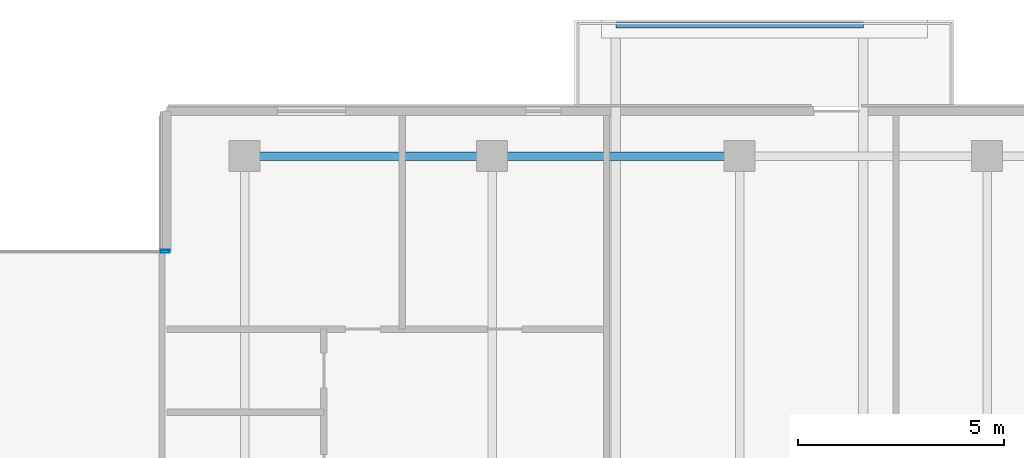
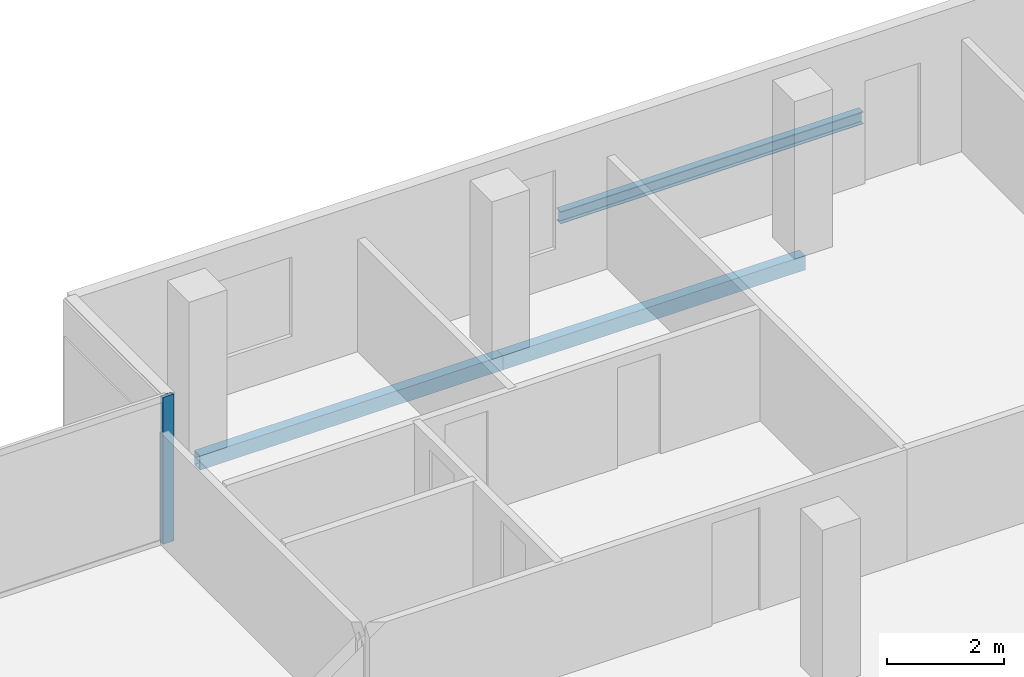
# One storey, part 12 of 28: 3 beams, 1 member, 1 element without a shape of its own.
"""IFC4 building model written with IfcOpenShell, lengths in metres."""

from ifc_helpers import new_model, si_unit, direction, frame, origin, origin_2d, place, context, subcontext, project, spatial, hollow_rectangle, i_section, extrude, material, layer, layer_set, material_profile, profile_set, type_object, element, aggregate, save


model = new_model("IFC4")

# Units and contexts
model_context = context("Model", 3, precision=1e-05, world=origin(), true_north=direction((0.0, 1.0)))
body_context = subcontext(model_context, "Body", "Model", "MODEL_VIEW")
ifc_project = project(units=[si_unit("LENGTHUNIT", "METRE"), si_unit("AREAUNIT", "SQUARE_METRE"), si_unit("VOLUMEUNIT", "CUBIC_METRE"), si_unit("PLANEANGLEUNIT", "RADIAN"), si_unit("MASSUNIT", "GRAM", prefix="KILO")], contexts=[model_context])

# Site, building, storey
site_placement = place(None, origin())
site = spatial("IfcSite", under=ifc_project, at=site_placement, CompositionType="ELEMENT")
building_placement = place(site_placement, origin())
building = spatial("IfcBuilding", under=site, at=building_placement, Name="Tanjung Sevakor Pilgrim Tower", CompositionType="ELEMENT")
storey_placement = place(building_placement, frame((0.0, 0.0, 222.75)))
storey = spatial("IfcBuildingStorey", under=building, at=storey_placement, Name="L62", CompositionType="ELEMENT", Elevation=222.75)

# Beams
ifc_material_1 = material(Name="Steel S355J2", Category="steel")
ifc_material_profile_1 = material_profile(ifc_material_1, i_section(OverallWidth=0.146484375, OverallDepth=0.256103515625, WebThickness=0.00634765625, FlangeThickness=0.010986328125, FilletRadius=0.007568359375, at=origin_2d()))
ifc_profile_set_1 = profile_set([ifc_material_profile_1], Name="Steel S355J2")
beam_type_1 = type_object("IfcBeamType", Name="BM-B-J6-UB_254x146x37", PredefinedType="JOIST", material=ifc_profile_set_1)
beam_placement = place(storey_placement, frame((63.0, 57.1298828125, -0.327880859375), z_axis=(1.0, 0.0, 0.0), x_axis=(0.0, 1.0, 0.0)))
element("IfcBeam", 1, at=beam_placement, inside=storey, type_object=beam_type_1, Name="L62 Balcony Rim Tie MAIN-N2", PredefinedType="JOIST", context=body_context, shape_type="SweptSolid", body=[
    extrude(i_section(OverallWidth=0.146484375, OverallDepth=0.256103515625, WebThickness=0.00634765625, FlangeThickness=0.010986328125, FilletRadius=0.007568359375, at=origin_2d()), origin(), (0.0, 0.0, 1.0), 6.0),
])
ifc_material_2 = material(Name="Steel S355J2", Category="steel")
ifc_material_profile_2 = material_profile(ifc_material_2, hollow_rectangle(XDim=0.199951171875, YDim=0.300048828125, WallThickness=0.012451171875, at=origin_2d()))
ifc_profile_set_2 = profile_set([ifc_material_profile_2], Name="Steel S355J2")
beam_type_2 = type_object("IfcBeamType", Name="BM-B-SP3-RHS_300x200x12.5", PredefinedType="SPANDREL", material=ifc_profile_set_2)
for number, where, z_axis, x_axis, name in (
    (2, (54.0, 53.949951171875, -0.3701171875), (1.0, 0.0, 0.0), (0.0, 1.0, 0.0), "L62 Spandrel MAIN N-06"),
    (3, (60.0, 53.949951171875, -0.3701171875), (1.0, 0.0, 0.0), (0.0, 1.0, 0.0), "L62 Spandrel MAIN N-08"),
):
    element("IfcBeam", number, at=place(storey_placement, frame(where, z_axis=z_axis, x_axis=x_axis)), inside=storey, type_object=beam_type_2, Name=name, PredefinedType="SPANDREL", context=body_context, shape_type="SweptSolid", body=[
        extrude(hollow_rectangle(XDim=0.199951171875, YDim=0.300048828125, WallThickness=0.012451171875, at=origin_2d()), origin(), (0.0, 0.0, 1.0), 6.0),
    ])

# Curtain wall, member
ifc_material_3 = material(Name="Aluminium 6063-T6 and Low-E Glass", Category="aluminium")
ifc_layer = layer(ifc_material_3, 0.179931640625)
ifc_layer_set = layer_set([ifc_layer], Name="CW-SYS-CLEFT")
curtain_wall_type = type_object("IfcCurtainWallType", Name="CW-SYS-CLEFT", PredefinedType="NOTDEFINED", material=ifc_layer_set)
curtain_wall_placement = place(storey_placement, origin())
curtain_wall = element("IfcCurtainWall", 4, at=curtain_wall_placement, inside=storey, type_object=curtain_wall_type, Name="L62 Curtain Wall CW-CLF-L62-10", PredefinedType="NOTDEFINED")
ifc_material_4 = material(Name="Aluminium 6063-T6", Category="aluminium")
ifc_material_profile_3 = material_profile(ifc_material_4, hollow_rectangle(XDim=0.074951171875, YDim=0.219970703125, WallThickness=0.0048828125, at=origin_2d()))
ifc_profile_set_3 = profile_set([ifc_material_profile_3], Name="Aluminium 6063-T6")
member_type = type_object("IfcMemberType", Name="TYPE-CWM-2", PredefinedType="MULLION", material=ifc_profile_set_3)
member_placement = place(storey_placement, frame((52.072509765625, 51.639892578125, 0.0), z_axis=(0.0, 0.0, 1.0), x_axis=(0.0, -1.0, 0.0)))
member = element("IfcMember", 5, at=member_placement, type_object=member_type, Name="CW-CLF mullion 1", PredefinedType="MULLION", context=body_context, shape_type="SweptSolid", body=[
    extrude(hollow_rectangle(XDim=0.074951171875, YDim=0.219970703125, WallThickness=0.0048828125, at=origin_2d()), origin(), (0.0, 0.0, 1.0), 3.080078125),
])
aggregate(curtain_wall, [member])

save(model, "model.ifc")
